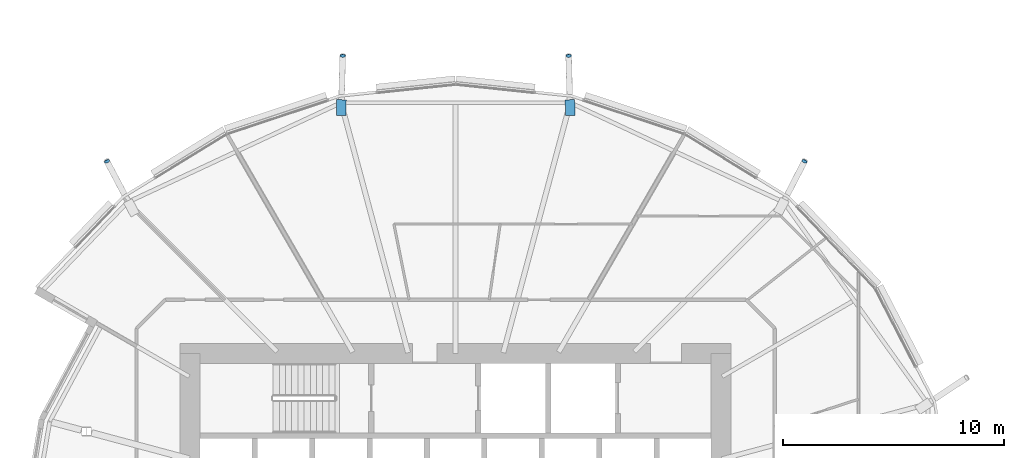
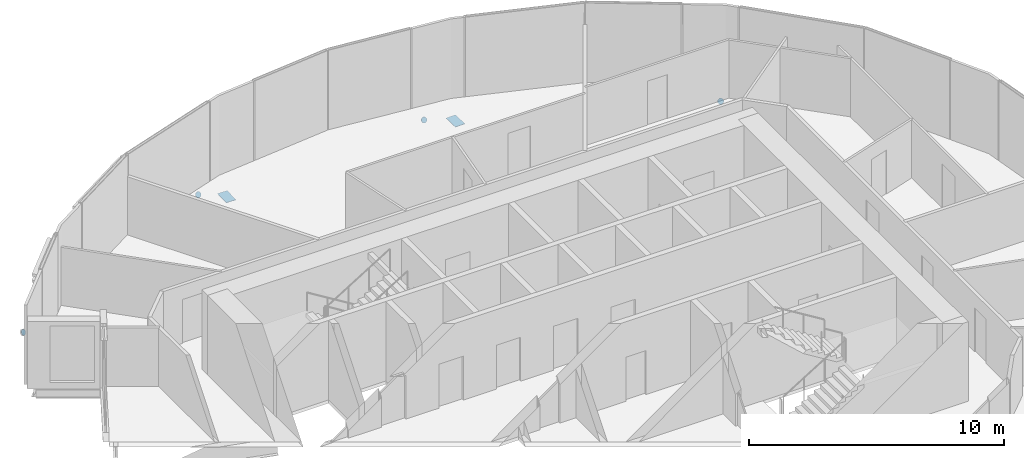
# One storey, part 29 of 37: 6 discrete accessories.
"""IFC4 building model written with IfcOpenShell, lengths in metres."""

from ifc_helpers import new_model, si_unit, direction, frame, origin, origin_2d, place, context, subcontext, project, spatial, polyline, rectangle, circle, outline, extrude, material, material_profile, profile_set, type_object, element, save


model = new_model("IFC4")

# Units and contexts
model_context = context("Model", 3, precision=1e-05, world=origin(), true_north=direction((0.0, 1.0)))
body_context = subcontext(model_context, "Body", "Model", "MODEL_VIEW")
ifc_project = project(units=[si_unit("LENGTHUNIT", "METRE"), si_unit("AREAUNIT", "SQUARE_METRE"), si_unit("VOLUMEUNIT", "CUBIC_METRE"), si_unit("PLANEANGLEUNIT", "RADIAN"), si_unit("MASSUNIT", "GRAM", prefix="KILO")], contexts=[model_context])

# Site, building, storey
site_placement = place(None, origin())
site = spatial("IfcSite", under=ifc_project, at=site_placement, CompositionType="ELEMENT")
building_placement = place(site_placement, origin())
building = spatial("IfcBuilding", under=site, at=building_placement, Name="Rimbun Link Towers", CompositionType="ELEMENT")
storey_placement = place(building_placement, frame((0.0, 0.0, 45.199951171875)))
storey = spatial("IfcBuildingStorey", under=building, at=storey_placement, Name="L10", CompositionType="ELEMENT", Elevation=45.199951171875)

# Discrete accessories
ifc_material_1 = material(Name="Steel S355J2H", Category="steel")
ifc_material_profile_1 = material_profile(ifc_material_1, circle(Radius=0.1240234375, at=origin_2d()), Name="PL D248")
ifc_profile_set_1 = profile_set([ifc_material_profile_1], Name="Steel S355J2H")
discrete_accessory_type_1 = type_object("IfcDiscreteAccessoryType", Name="Link foot sealing plate D248X20", PredefinedType="BRACKET", material=ifc_profile_set_1)
for number, where, z_axis, x_axis, name in (
    (1, (-15.985107421875, 16.678466796875, -2.061767578125), (0.389289794786, 0.766414283485, -0.510942855656), (-0.891578868093, 0.452865456809, 0.0), "Link foot sealing plate T1 L10 03"),
    (2, (-26.6455078125, 21.443359375, -2.109375), (-0.024534798922, 0.870985361746, -0.490695978449), (-0.999603489279, -0.028157844768, 0.0), "Link foot sealing plate T1 L10 05"),
    (3, (-36.8544921875, 21.443359375, -2.109375), (0.024534798922, 0.870985361746, -0.490695978449), (-0.999603489279, 0.028157844768, 0.0), "Link foot sealing plate T1 L10 07"),
    (4, (-47.509033203125, 16.67724609375, -2.068359375), (-0.401990890525, 0.767437154638, -0.499443227621), (-0.88583153528, -0.464006994671, 0.0), "Link foot sealing plate T1 L10 09"),
):
    element("IfcDiscreteAccessory", number, at=place(storey_placement, frame(where, z_axis=z_axis, x_axis=x_axis)), inside=storey, type_object=discrete_accessory_type_1, Name=name, PredefinedType="BRACKET", context=body_context, shape_type="SweptSolid", body=[
        extrude(circle(Radius=0.1240234375, at=origin_2d()), origin(), (0.0, 0.0, 1.0), 0.02001953125),
    ])
ifc_material_2 = material(Name="Steel S355J2H", Category="steel")
ifc_material_profile_2 = material_profile(ifc_material_2, rectangle(XDim=0.43310546875, YDim=0.43310546875, at=origin_2d()), Name="PL 433x433")
ifc_profile_set_2 = profile_set([ifc_material_profile_2], Name="Steel S355J2H")
discrete_accessory_type_2 = type_object("IfcDiscreteAccessoryType", Name="Link head end plate 433X20", PredefinedType="BRACKET", material=ifc_profile_set_2)
discrete_accessory_1_placement = place(storey_placement, frame((0.0, 0.0, -0.782470703125)))
element("IfcDiscreteAccessory", 5, at=discrete_accessory_1_placement, inside=storey, type_object=discrete_accessory_type_2, Name="Link head end plate T1 L10 05", PredefinedType="BRACKET", context=body_context, shape_type="SweptSolid", body=[
    extrude(outline(polyline([(-26.35205078125, 18.75830078125), (-26.372314453125, 19.470703125), (-26.80517578125, 19.45849609375), (-26.784912109375, 18.745849609375), (-26.35205078125, 18.75830078125)])), origin(), (0.0, 0.0, 1.0), 0.02001953125),
])
discrete_accessory_2_placement = place(storey_placement, frame((0.0, 0.0, -0.782470703125)))
element("IfcDiscreteAccessory", 6, at=discrete_accessory_2_placement, inside=storey, type_object=discrete_accessory_type_2, Name="Link head end plate T1 L10 07", PredefinedType="BRACKET", context=body_context, shape_type="SweptSolid", body=[
    extrude(outline(polyline([(-36.715087890625, 18.745849609375), (-36.69482421875, 19.45849609375), (-37.127685546875, 19.470703125), (-37.14794921875, 18.75830078125), (-36.715087890625, 18.745849609375)])), origin(), (0.0, 0.0, 1.0), 0.02001953125),
])

save(model, "model.ifc")
